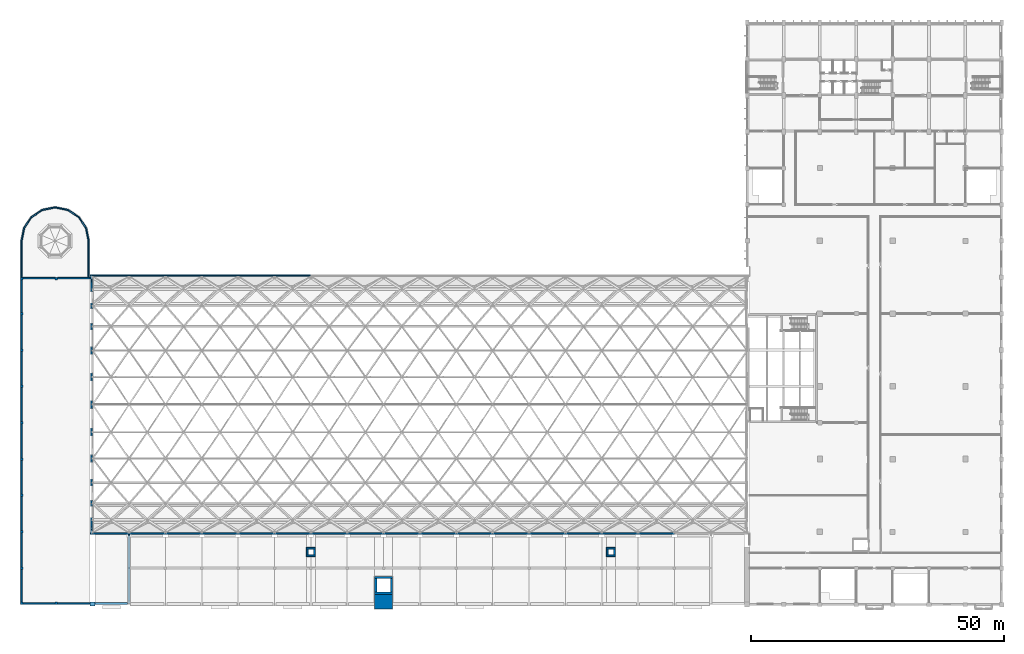
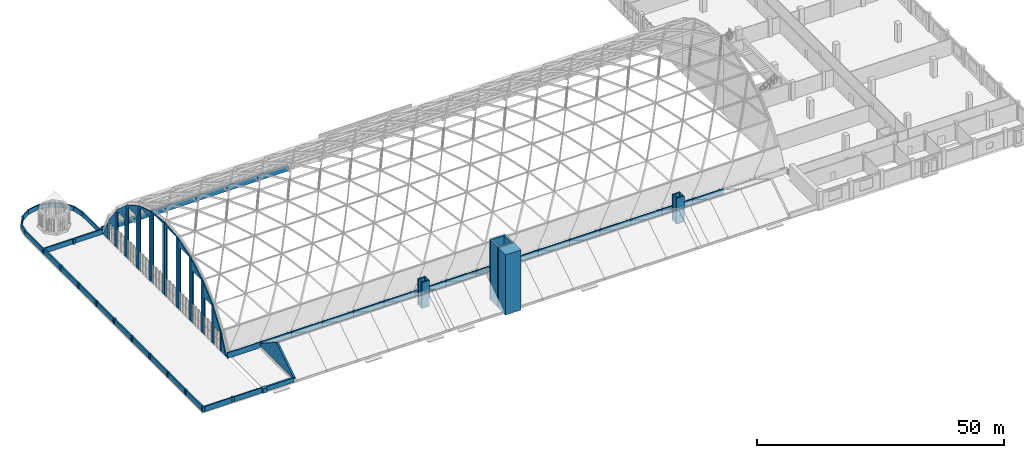
# One storey, part 32 of 52: 85 walls.
"""IFC4 building model written with IfcOpenShell, lengths in metres."""

from ifc_helpers import new_model, si_unit, direction, frame, frame_2d, origin, place, context, subcontext, project, spatial, polyline, rectangle, outline, extrude, material, layer, layer_set, type_object, element, save


model = new_model("IFC4")

# Units and contexts
model_context = context("Model", 3, precision=1e-05, world=origin(), true_north=direction((0.0, 1.0)))
body_context = subcontext(model_context, "Body", "Model", "MODEL_VIEW")
ifc_project = project(units=[si_unit("LENGTHUNIT", "METRE"), si_unit("AREAUNIT", "SQUARE_METRE"), si_unit("VOLUMEUNIT", "CUBIC_METRE"), si_unit("PLANEANGLEUNIT", "RADIAN"), si_unit("MASSUNIT", "GRAM", prefix="KILO")], contexts=[model_context])

# Site, building, storey
site_placement = place(None, origin())
site = spatial("IfcSite", under=ifc_project, at=site_placement, CompositionType="ELEMENT")
building_placement = place(site_placement, origin())
building = spatial("IfcBuilding", under=site, at=building_placement, Name="Vermilion Court Aquatics Centre", CompositionType="ELEMENT")
storey_placement = place(building_placement, frame((0.0, 0.0, 12.0)))
storey = spatial("IfcBuildingStorey", under=building, at=storey_placement, Name="L02", CompositionType="ELEMENT", Elevation=12.0)

# Walls
ifc_material_1 = material(Name="Brick masonry", Category="masonry")
ifc_layer_1 = layer(ifc_material_1, 0.27001953125)
ifc_layer_set_1 = layer_set([ifc_layer_1], Name="Envelope brick gable spandrel 270")
wall_type_1 = type_object("IfcWallType", Name="Envelope brick gable spandrel 270", PredefinedType="SOLIDWALL", material=ifc_layer_set_1)
wall_1_placement = place(storey_placement, frame((14.125, 13.89990234375, 0.0), z_axis=(0.0, 0.0, 1.0), x_axis=(0.0, 1.0, 0.0)))
element("IfcWall", 1, at=wall_1_placement, inside=storey, type_object=wall_type_1, Name="Gable spandrel west 1", PredefinedType="SOLIDWALL", context=body_context, shape_type="SweptSolid", body=[
    extrude(outline(polyline([(0.0, 0.0), (2.81005859375, 0.0), (2.81005859375, 4.16748046875), (0.91748046875, 0.080078125), (0.0, 0.080078125), (0.0, 0.0)])), frame((0.0, 0.135009765625, 0.0), z_axis=(0.0, -1.0, 0.0), x_axis=(1.0, 0.0, 0.0)), (0.0, 0.0, 1.0), 0.27001953125),
])
wall_2_placement = place(storey_placement, frame((14.125, 16.7099609375, 0.0), z_axis=(0.0, 0.0, 1.0), x_axis=(0.0, 1.0, 0.0)))
element("IfcWall", 2, at=wall_2_placement, inside=storey, type_object=wall_type_1, Name="Gable spandrel west 2", PredefinedType="SOLIDWALL", context=body_context, shape_type="SweptSolid", body=[
    extrude(outline(polyline([(0.0, 0.0), (0.510009765625, 0.0), (0.510009765625, 4.43603515625), (2.780029296875, 4.43603515625), (2.780029296875, 0.0), (3.2900390625, 0.0), (3.2900390625, 8.898681640625), (0.0, 4.485595703125), (0.0, 0.0)])), frame((0.0, 0.135009765625, 0.0), z_axis=(0.0, -1.0, 0.0), x_axis=(1.0, 0.0, 0.0)), (0.0, 0.0, 1.0), 0.27001953125),
])
wall_3_placement = place(storey_placement, frame((14.125, 20.0, 0.0), z_axis=(0.0, 0.0, 1.0), x_axis=(0.0, 1.0, 0.0)))
element("IfcWall", 3, at=wall_3_placement, inside=storey, type_object=wall_type_1, Name="Gable spandrel west 3", PredefinedType="SOLIDWALL", context=body_context, shape_type="SweptSolid", body=[
    extrude(outline(polyline([(0.0, 0.0), (0.6201171875, 0.0), (0.6201171875, 9.135009765625), (3.5, 9.135009765625), (3.5, 0.0), (4.1201171875, 0.0), (4.1201171875, 12.823486328125), (0.0, 9.1845703125), (0.0, 0.0)])), frame((0.0, 0.135009765625, 0.0), z_axis=(0.0, -1.0, 0.0), x_axis=(1.0, 0.0, 0.0)), (0.0, 0.0, 1.0), 0.27001953125),
])
wall_4_placement = place(storey_placement, frame((14.125, 24.1201171875, 0.0), z_axis=(0.0, 0.0, 1.0), x_axis=(0.0, 1.0, 0.0)))
element("IfcWall", 4, at=wall_4_placement, inside=storey, type_object=wall_type_1, Name="Gable spandrel west 4", PredefinedType="SOLIDWALL", context=body_context, shape_type="SweptSolid", body=[
    extrude(outline(polyline([(0.0, 0.0), (0.699951171875, 0.0), (0.699951171875, 12.83837890625), (4.080078125, 12.83837890625), (4.080078125, 0.0), (4.780029296875, 0.0), (4.780029296875, 15.60400390625), (0.0, 12.887939453125), (0.0, 0.0)])), frame((0.0, 0.135009765625, 0.0), z_axis=(0.0, -1.0, 0.0), x_axis=(1.0, 0.0, 0.0)), (0.0, 0.0, 1.0), 0.27001953125),
])
wall_5_placement = place(storey_placement, frame((14.125, 28.89990234375, 0.0), z_axis=(0.0, 0.0, 1.0), x_axis=(0.0, 1.0, 0.0)))
element("IfcWall", 5, at=wall_5_placement, inside=storey, type_object=wall_type_1, Name="Gable spandrel west 5", PredefinedType="SOLIDWALL", context=body_context, shape_type="SweptSolid", body=[
    extrude(outline(polyline([(0.0, 0.0), (0.75, 0.0), (0.75, 15.589599609375), (4.47998046875, 15.589599609375), (4.47998046875, 0.0), (5.22998046875, 0.0), (5.22998046875, 17.31396484375), (0.0, 15.638916015625), (0.0, 0.0)])), frame((0.0, 0.135009765625, 0.0), z_axis=(0.0, -1.0, 0.0), x_axis=(1.0, 0.0, 0.0)), (0.0, 0.0, 1.0), 0.27001953125),
])
wall_6_placement = place(storey_placement, frame((14.125, 34.1298828125, 0.0), z_axis=(0.0, 0.0, 1.0), x_axis=(0.0, 1.0, 0.0)))
element("IfcWall", 6, at=wall_6_placement, inside=storey, type_object=wall_type_1, Name="Gable spandrel west 6", PredefinedType="SOLIDWALL", context=body_context, shape_type="SweptSolid", body=[
    extrude(outline(polyline([(0.0, 0.0), (0.780029296875, 0.0), (0.780029296875, 17.280029296875), (4.68994140625, 17.280029296875), (4.68994140625, 0.0), (5.469970703125, 0.0), (5.469970703125, 17.897705078125), (0.0, 17.32958984375), (0.0, 0.0)])), frame((0.0, 0.135009765625, 0.0), z_axis=(0.0, -1.0, 0.0), x_axis=(1.0, 0.0, 0.0)), (0.0, 0.0, 1.0), 0.27001953125),
])
wall_7_placement = place(storey_placement, frame((14.125, 39.60009765625, 0.0), z_axis=(0.0, 0.0, 1.0), x_axis=(0.0, 1.0, 0.0)))
element("IfcWall", 7, at=wall_7_placement, inside=storey, type_object=wall_type_1, Name="Gable spandrel west 7", PredefinedType="SOLIDWALL", context=body_context, shape_type="SweptSolid", body=[
    extrude(outline(polyline([(0.0, 0.0), (0.780029296875, 0.0), (0.780029296875, 17.280029296875), (4.68994140625, 17.280029296875), (4.68994140625, 0.0), (5.469970703125, 0.0), (5.469970703125, 17.32958984375), (0.0, 17.897705078125), (0.0, 0.0)])), frame((0.0, 0.135009765625, 0.0), z_axis=(0.0, -1.0, 0.0), x_axis=(1.0, 0.0, 0.0)), (0.0, 0.0, 1.0), 0.27001953125),
])
wall_8_placement = place(storey_placement, frame((14.125, 45.070068359375, 0.0), z_axis=(0.0, 0.0, 1.0), x_axis=(0.0, 1.0, 0.0)))
element("IfcWall", 8, at=wall_8_placement, inside=storey, type_object=wall_type_1, Name="Gable spandrel west 8", PredefinedType="SOLIDWALL", context=body_context, shape_type="SweptSolid", body=[
    extrude(outline(polyline([(0.0, 0.0), (0.75, 0.0), (0.75, 15.589599609375), (4.47998046875, 15.589599609375), (4.47998046875, 0.0), (5.22998046875, 0.0), (5.22998046875, 15.638916015625), (0.0, 17.31396484375), (0.0, 0.0)])), frame((0.0, 0.135009765625, 0.0), z_axis=(0.0, -1.0, 0.0), x_axis=(1.0, 0.0, 0.0)), (0.0, 0.0, 1.0), 0.27001953125),
])
wall_9_placement = place(storey_placement, frame((14.125, 50.300048828125, 0.0), z_axis=(0.0, 0.0, 1.0), x_axis=(0.0, 1.0, 0.0)))
element("IfcWall", 9, at=wall_9_placement, inside=storey, type_object=wall_type_1, Name="Gable spandrel west 9", PredefinedType="SOLIDWALL", context=body_context, shape_type="SweptSolid", body=[
    extrude(outline(polyline([(0.0, 0.0), (0.699951171875, 0.0), (0.699951171875, 12.83837890625), (4.080078125, 12.83837890625), (4.080078125, 0.0), (4.780029296875, 0.0), (4.780029296875, 12.887939453125), (0.0, 15.60400390625), (0.0, 0.0)])), frame((0.0, 0.135009765625, 0.0), z_axis=(0.0, -1.0, 0.0), x_axis=(1.0, 0.0, 0.0)), (0.0, 0.0, 1.0), 0.27001953125),
])
wall_10_placement = place(storey_placement, frame((14.125, 55.080078125, 0.0), z_axis=(0.0, 0.0, 1.0), x_axis=(0.0, 1.0, 0.0)))
element("IfcWall", 10, at=wall_10_placement, inside=storey, type_object=wall_type_1, Name="Gable spandrel west 10", PredefinedType="SOLIDWALL", context=body_context, shape_type="SweptSolid", body=[
    extrude(outline(polyline([(0.0, 0.0), (0.6201171875, 0.0), (0.6201171875, 9.135009765625), (3.5, 9.135009765625), (3.5, 0.0), (4.1201171875, 0.0), (4.1201171875, 9.1845703125), (0.0, 12.823486328125), (0.0, 0.0)])), frame((0.0, 0.135009765625, 0.0), z_axis=(0.0, -1.0, 0.0), x_axis=(1.0, 0.0, 0.0)), (0.0, 0.0, 1.0), 0.27001953125),
])
wall_11_placement = place(storey_placement, frame((14.125, 59.199951171875, 0.0), z_axis=(0.0, 0.0, 1.0), x_axis=(0.0, 1.0, 0.0)))
element("IfcWall", 11, at=wall_11_placement, inside=storey, type_object=wall_type_1, Name="Gable spandrel west 11", PredefinedType="SOLIDWALL", context=body_context, shape_type="SweptSolid", body=[
    extrude(outline(polyline([(0.0, 0.0), (0.510009765625, 0.0), (0.510009765625, 4.43603515625), (2.780029296875, 4.43603515625), (2.780029296875, 0.0), (3.2900390625, 0.0), (3.2900390625, 4.485595703125), (0.0, 8.898681640625), (0.0, 0.0)])), frame((0.0, 0.135009765625, 0.0), z_axis=(0.0, -1.0, 0.0), x_axis=(1.0, 0.0, 0.0)), (0.0, 0.0, 1.0), 0.27001953125),
])
wall_12_placement = place(storey_placement, frame((14.125, 62.489990234375, 0.0), z_axis=(0.0, 0.0, 1.0), x_axis=(0.0, 1.0, 0.0)))
element("IfcWall", 12, at=wall_12_placement, inside=storey, type_object=wall_type_1, Name="Gable spandrel west 12", PredefinedType="SOLIDWALL", context=body_context, shape_type="SweptSolid", body=[
    extrude(outline(polyline([(0.0, 0.0), (2.81005859375, 0.0), (2.81005859375, 0.080078125), (1.892578125, 0.080078125), (0.0, 4.16748046875), (0.0, 0.0)])), frame((0.0, 0.135009765625, 0.0), z_axis=(0.0, -1.0, 0.0), x_axis=(1.0, 0.0, 0.0)), (0.0, 0.0, 1.0), 0.27001953125),
])
ifc_material_2 = material(Name="Brick masonry", Category="masonry")
ifc_layer_2 = layer(ifc_material_2, 0.280029296875)
ifc_layer_set_2 = layer_set([ifc_layer_2], Name="Envelope brick parapet 280")
wall_type_2 = type_object("IfcWallType", Name="Envelope brick parapet 280", PredefinedType="PARAPET", material=ifc_layer_set_2)
wall_13_placement = place(storey_placement, frame((13.89990234375, 14.0400390625, 0.0), z_axis=(0.0, 0.0, 1.0), x_axis=(1.0, 0.0, 0.0)))
element("IfcWall", 13, at=wall_13_placement, inside=storey, type_object=wall_type_2, Name="Roof parapet S01", PredefinedType="PARAPET", context=body_context, shape_type="SweptSolid", body=[
    extrude(rectangle(XDim=7.7001953125, YDim=0.280029296875, at=frame_2d((3.85009765625, 0.0))), origin(), (0.0, 0.0, 1.0), 1.39990234375),
])
for number, where, z_axis, x_axis, name in (
    (14, (21.60009765625, 14.0400390625, 0.0), (0.0, 0.0, 1.0), (1.0, 0.0, 0.0), "Roof parapet S02"),
    (15, (28.800048828125, 14.0400390625, 0.0), (0.0, 0.0, 1.0), (1.0, 0.0, 0.0), "Roof parapet S03"),
    (16, (36.0, 14.0400390625, 0.0), (0.0, 0.0, 1.0), (1.0, 0.0, 0.0), "Roof parapet S04"),
    (17, (43.199951171875, 14.0400390625, 0.0), (0.0, 0.0, 1.0), (1.0, 0.0, 0.0), "Roof parapet S05"),
):
    element("IfcWall", number, at=place(storey_placement, frame(where, z_axis=z_axis, x_axis=x_axis)), inside=storey, type_object=wall_type_2, Name=name, PredefinedType="PARAPET", context=body_context, shape_type="SweptSolid", body=[
        extrude(rectangle(XDim=7.199951171875, YDim=0.280029296875, at=frame_2d((3.60009765625, 0.0))), origin(), (0.0, 0.0, 1.0), 1.39990234375),
    ])
wall_14_placement = place(storey_placement, frame((50.39990234375, 14.0400390625, 0.0), z_axis=(0.0, 0.0, 1.0), x_axis=(1.0, 0.0, 0.0)))
element("IfcWall", 18, at=wall_14_placement, inside=storey, type_object=wall_type_2, Name="Roof parapet S06", PredefinedType="PARAPET", context=body_context, shape_type="SweptSolid", body=[
    extrude(rectangle(XDim=7.2001953125, YDim=0.280029296875, at=frame_2d((3.60009765625, 0.0))), origin(), (0.0, 0.0, 1.0), 1.39990234375),
])
for number, where, z_axis, x_axis, name in (
    (19, (57.60009765625, 14.0400390625, 0.0), (0.0, 0.0, 1.0), (1.0, 0.0, 0.0), "Roof parapet S07"),
    (20, (64.800048828125, 14.0400390625, 0.0), (0.0, 0.0, 1.0), (1.0, 0.0, 0.0), "Roof parapet S08"),
    (21, (72.0, 14.0400390625, 0.0), (0.0, 0.0, 1.0), (1.0, 0.0, 0.0), "Roof parapet S09"),
    (22, (79.199951171875, 14.0400390625, 0.0), (0.0, 0.0, 1.0), (1.0, 0.0, 0.0), "Roof parapet S10"),
):
    element("IfcWall", number, at=place(storey_placement, frame(where, z_axis=z_axis, x_axis=x_axis)), inside=storey, type_object=wall_type_2, Name=name, PredefinedType="PARAPET", context=body_context, shape_type="SweptSolid", body=[
        extrude(rectangle(XDim=7.199951171875, YDim=0.280029296875, at=frame_2d((3.60009765625, 0.0))), origin(), (0.0, 0.0, 1.0), 1.39990234375),
    ])
wall_15_placement = place(storey_placement, frame((86.39990234375, 14.0400390625, 0.0), z_axis=(0.0, 0.0, 1.0), x_axis=(1.0, 0.0, 0.0)))
element("IfcWall", 23, at=wall_15_placement, inside=storey, type_object=wall_type_2, Name="Roof parapet S11", PredefinedType="PARAPET", context=body_context, shape_type="SweptSolid", body=[
    extrude(rectangle(XDim=7.2001953125, YDim=0.280029296875, at=frame_2d((3.60009765625, 0.0))), origin(), (0.0, 0.0, 1.0), 1.39990234375),
])
for number, where, z_axis, x_axis, name in (
    (24, (93.60009765625, 14.0400390625, 0.0), (0.0, 0.0, 1.0), (1.0, 0.0, 0.0), "Roof parapet S12"),
    (25, (100.800048828125, 14.0400390625, 0.0), (0.0, 0.0, 1.0), (1.0, 0.0, 0.0), "Roof parapet S13"),
    (26, (108.0, 14.0400390625, 0.0), (0.0, 0.0, 1.0), (1.0, 0.0, 0.0), "Roof parapet S14"),
    (27, (115.199951171875, 14.0400390625, 0.0), (0.0, 0.0, 1.0), (1.0, 0.0, 0.0), "Roof parapet S15"),
):
    element("IfcWall", number, at=place(storey_placement, frame(where, z_axis=z_axis, x_axis=x_axis)), inside=storey, type_object=wall_type_2, Name=name, PredefinedType="PARAPET", context=body_context, shape_type="SweptSolid", body=[
        extrude(rectangle(XDim=7.199951171875, YDim=0.280029296875, at=frame_2d((3.60009765625, 0.0))), origin(), (0.0, 0.0, 1.0), 1.39990234375),
    ])
wall_16_placement = place(storey_placement, frame((122.39990234375, 14.0400390625, 0.0), z_axis=(0.0, 0.0, 1.0), x_axis=(1.0, 0.0, 0.0)))
element("IfcWall", 28, at=wall_16_placement, inside=storey, type_object=wall_type_2, Name="Roof parapet S16", PredefinedType="PARAPET", context=body_context, shape_type="SweptSolid", body=[
    extrude(rectangle(XDim=7.2001953125, YDim=0.280029296875, at=frame_2d((3.60009765625, 0.0))), origin(), (0.0, 0.0, 1.0), 1.39990234375),
])
wall_17_placement = place(storey_placement, frame((13.89990234375, 65.159912109375, 0.0), z_axis=(0.0, 0.0, 1.0), x_axis=(1.0, 0.0, 0.0)))
element("IfcWall", 29, at=wall_17_placement, inside=storey, type_object=wall_type_2, Name="Roof parapet N01", PredefinedType="PARAPET", context=body_context, shape_type="SweptSolid", body=[
    extrude(rectangle(XDim=7.7001953125, YDim=0.280029296875, at=frame_2d((3.85009765625, 0.0))), origin(), (0.0, 0.0, 1.0), 1.39990234375),
])
for number, where, z_axis, x_axis, name in (
    (30, (21.60009765625, 65.159912109375, 0.0), (0.0, 0.0, 1.0), (1.0, 0.0, 0.0), "Roof parapet N02"),
    (31, (28.800048828125, 65.159912109375, 0.0), (0.0, 0.0, 1.0), (1.0, 0.0, 0.0), "Roof parapet N03"),
    (32, (36.0, 65.159912109375, 0.0), (0.0, 0.0, 1.0), (1.0, 0.0, 0.0), "Roof parapet N04"),
    (33, (43.199951171875, 65.159912109375, 0.0), (0.0, 0.0, 1.0), (1.0, 0.0, 0.0), "Roof parapet N05"),
):
    element("IfcWall", number, at=place(storey_placement, frame(where, z_axis=z_axis, x_axis=x_axis)), inside=storey, type_object=wall_type_2, Name=name, PredefinedType="PARAPET", context=body_context, shape_type="SweptSolid", body=[
        extrude(rectangle(XDim=7.199951171875, YDim=0.280029296875, at=frame_2d((3.60009765625, 0.0))), origin(), (0.0, 0.0, 1.0), 1.39990234375),
    ])
wall_18_placement = place(storey_placement, frame((50.39990234375, 65.159912109375, 0.0), z_axis=(0.0, 0.0, 1.0), x_axis=(1.0, 0.0, 0.0)))
element("IfcWall", 34, at=wall_18_placement, inside=storey, type_object=wall_type_2, Name="Roof parapet N06", PredefinedType="PARAPET", context=body_context, shape_type="SweptSolid", body=[
    extrude(rectangle(XDim=7.2001953125, YDim=0.280029296875, at=frame_2d((3.60009765625, 0.0))), origin(), (0.0, 0.0, 1.0), 1.39990234375),
])
ifc_material_3 = material(Name="Brick masonry", Category="masonry")
ifc_layer_3 = layer(ifc_material_3, 0.5)
ifc_layer_set_3 = layer_set([ifc_layer_3], Name="Foyer parapet pier 500")
wall_type_3 = type_object("IfcWallType", Name="Foyer parapet pier 500", PredefinedType="PARAPET", material=ifc_layer_set_3)
for number, where, z_axis, x_axis, name in (
    (35, (0.050048828125, 0.300048828125, 0.0), (0.0, 0.0, 1.0), (1.0, 0.0, 0.0), "Roof parapet pier"),
    (36, (0.050048828125, 7.199951171875, 0.0), (0.0, 0.0, 1.0), (1.0, 0.0, 0.0), "Roof parapet pier"),
    (37, (0.050048828125, 14.39990234375, 0.0), (0.0, 0.0, 1.0), (1.0, 0.0, 0.0), "Roof parapet pier"),
    (38, (0.050048828125, 21.60009765625, 0.0), (0.0, 0.0, 1.0), (1.0, 0.0, 0.0), "Roof parapet pier"),
    (39, (0.050048828125, 28.800048828125, 0.0), (0.0, 0.0, 1.0), (1.0, 0.0, 0.0), "Roof parapet pier"),
    (40, (0.050048828125, 36.0, 0.0), (0.0, 0.0, 1.0), (1.0, 0.0, 0.0), "Roof parapet pier"),
    (41, (0.050048828125, 43.199951171875, 0.0), (0.0, 0.0, 1.0), (1.0, 0.0, 0.0), "Roof parapet pier"),
    (42, (0.050048828125, 50.39990234375, 0.0), (0.0, 0.0, 1.0), (1.0, 0.0, 0.0), "Roof parapet pier"),
    (43, (0.050048828125, 57.60009765625, 0.0), (0.0, 0.0, 1.0), (1.0, 0.0, 0.0), "Roof parapet pier"),
    (44, (0.050048828125, 64.5, 0.0), (0.0, 0.0, 1.0), (1.0, 0.0, 0.0), "Roof parapet pier"),
    (45, (6.949951171875, 0.300048828125, 0.0), (0.0, 0.0, 1.0), (1.0, 0.0, 0.0), "Roof parapet pier"),
    (46, (6.949951171875, 64.5, 0.0), (0.0, 0.0, 1.0), (1.0, 0.0, 0.0), "Roof parapet pier"),
):
    element("IfcWall", number, at=place(storey_placement, frame(where, z_axis=z_axis, x_axis=x_axis)), inside=storey, type_object=wall_type_3, Name=name, PredefinedType="PARAPET", context=body_context, shape_type="SweptSolid", body=[
        extrude(rectangle(XDim=0.5, YDim=0.5, at=frame_2d((0.25, 0.0))), origin(), (0.0, 0.0, 1.0), 1.25),
    ])
ifc_material_4 = material(Name="Brick masonry", Category="masonry")
ifc_layer_4 = layer(ifc_material_4, 0.300048828125)
ifc_layer_set_4 = layer_set([ifc_layer_4], Name="Foyer parapet wall 300")
wall_type_4 = type_object("IfcWallType", Name="Foyer parapet wall 300", PredefinedType="PARAPET", material=ifc_layer_set_4)
wall_19_placement = place(storey_placement, frame((0.300048828125, 71.970703125, 0.0), z_axis=(0.0, 0.0, 1.0), x_axis=(0.195053904956, 0.980792523504, 0.0)))
element("IfcWall", 47, at=wall_19_placement, inside=storey, type_object=wall_type_4, Name="Rotunda parapet", PredefinedType="PARAPET", context=body_context, shape_type="SweptSolid", body=[
    extrude(rectangle(XDim=2.65234375, YDim=0.300048828125, at=frame_2d((1.326171875, 0.0))), origin(), (0.0, 0.0, 1.0), 1.10009765625),
])
for number, where, z_axis, x_axis, name in (
    (48, (0.794921875, 74.517822265625, 0.0), (0.0, 0.0, 1.0), (0.555634542655, 0.83142663838, 0.0), "Rotunda parapet"),
    (49, (2.22705078125, 76.681396484375, 0.0), (0.0, 0.0, 1.0), (0.83142663838, 0.555634542655, 0.0), "Rotunda parapet"),
    (50, (4.378173828125, 78.132568359375, 0.0), (0.0, 0.0, 1.0), (0.980789020894, 0.195071516358, 0.0), "Rotunda parapet"),
):
    element("IfcWall", number, at=place(storey_placement, frame(where, z_axis=z_axis, x_axis=x_axis)), inside=storey, type_object=wall_type_4, Name=name, PredefinedType="PARAPET", context=body_context, shape_type="SweptSolid", body=[
        extrude(rectangle(XDim=2.652099609375, YDim=0.300048828125, at=frame_2d((1.326171875, 0.0))), origin(), (0.0, 0.0, 1.0), 1.10009765625),
    ])
wall_20_placement = place(storey_placement, frame((6.920654296875, 78.64990234375, 0.0), z_axis=(0.0, 0.0, 1.0), x_axis=(0.980792523504, -0.195053904956, 0.0)))
element("IfcWall", 51, at=wall_20_placement, inside=storey, type_object=wall_type_4, Name="Rotunda parapet", PredefinedType="PARAPET", context=body_context, shape_type="SweptSolid", body=[
    extrude(rectangle(XDim=2.65234375, YDim=0.300048828125, at=frame_2d((1.326171875, 0.0))), origin(), (0.0, 0.0, 1.0), 1.10009765625),
])
for number, where, z_axis, x_axis, name in (
    (52, (9.4677734375, 78.155029296875, 0.0), (0.0, 0.0, 1.0), (0.83142663838, -0.555634542655, 0.0), "Rotunda parapet"),
    (53, (11.631591796875, 76.722900390625, 0.0), (0.0, 0.0, 1.0), (0.555570903971, -0.831469163987, 0.0), "Rotunda parapet"),
):
    element("IfcWall", number, at=place(storey_placement, frame(where, z_axis=z_axis, x_axis=x_axis)), inside=storey, type_object=wall_type_4, Name=name, PredefinedType="PARAPET", context=body_context, shape_type="SweptSolid", body=[
        extrude(rectangle(XDim=2.652099609375, YDim=0.300048828125, at=frame_2d((1.326171875, 0.0))), origin(), (0.0, 0.0, 1.0), 1.10009765625),
    ])
wall_21_placement = place(storey_placement, frame((13.08251953125, 74.572021484375, 0.0), z_axis=(0.0, 0.0, 1.0), x_axis=(0.195053904956, -0.980792523504, 0.0)))
element("IfcWall", 54, at=wall_21_placement, inside=storey, type_object=wall_type_4, Name="Rotunda parapet", PredefinedType="PARAPET", context=body_context, shape_type="SweptSolid", body=[
    extrude(rectangle(XDim=2.65234375, YDim=0.300048828125, at=frame_2d((1.326171875, 0.0))), origin(), (0.0, 0.0, 1.0), 1.10009765625),
])
for number, where, z_axis, x_axis, name in (
    (55, (0.300048828125, 64.800048828125, 0.0), (0.0, 0.0, 1.0), (0.0, 1.0, 0.0), "Rotunda parapet"),
    (56, (13.60009765625, 64.800048828125, 0.0), (0.0, 0.0, 1.0), (0.0, 1.0, 0.0), "Rotunda parapet"),
):
    element("IfcWall", number, at=place(storey_placement, frame(where, z_axis=z_axis, x_axis=x_axis)), inside=storey, type_object=wall_type_4, Name=name, PredefinedType="PARAPET", context=body_context, shape_type="SweptSolid", body=[
        extrude(rectangle(XDim=7.199951171875, YDim=0.300048828125, at=frame_2d((3.60009765625, 0.0))), origin(), (0.0, 0.0, 1.0), 1.10009765625),
    ])
wall_22_placement = place(storey_placement, frame((0.550048828125, 0.175048828125, 0.0), z_axis=(0.0, 0.0, 1.0), x_axis=(1.0, 0.0, 0.0)))
element("IfcWall", 57, at=wall_22_placement, inside=storey, type_object=wall_type_4, Name="Foyer parapet", PredefinedType="PARAPET", context=body_context, shape_type="SweptSolid", body=[
    extrude(rectangle(XDim=6.39990234375, YDim=0.300048828125, at=frame_2d((3.199951171875, 0.0))), origin(), (0.0, 0.0, 1.0), 1.25),
])
wall_23_placement = place(storey_placement, frame((7.449951171875, 0.175048828125, 0.0), z_axis=(0.0, 0.0, 1.0), x_axis=(1.0, 0.0, 0.0)))
element("IfcWall", 58, at=wall_23_placement, inside=storey, type_object=wall_type_4, Name="Foyer parapet", PredefinedType="PARAPET", context=body_context, shape_type="SweptSolid", body=[
    extrude(rectangle(XDim=6.449951171875, YDim=0.300048828125, at=frame_2d((3.22509765625, 0.0))), origin(), (0.0, 0.0, 1.0), 1.25),
])
wall_24_placement = place(storey_placement, frame((0.550048828125, 64.625, 0.0), z_axis=(0.0, 0.0, 1.0), x_axis=(1.0, 0.0, 0.0)))
element("IfcWall", 59, at=wall_24_placement, inside=storey, type_object=wall_type_4, Name="Foyer parapet", PredefinedType="PARAPET", context=body_context, shape_type="SweptSolid", body=[
    extrude(rectangle(XDim=6.39990234375, YDim=0.300048828125, at=frame_2d((3.199951171875, 0.0))), origin(), (0.0, 0.0, 1.0), 1.25),
])
wall_25_placement = place(storey_placement, frame((7.449951171875, 64.625, 0.0), z_axis=(0.0, 0.0, 1.0), x_axis=(1.0, 0.0, 0.0)))
element("IfcWall", 60, at=wall_25_placement, inside=storey, type_object=wall_type_4, Name="Foyer parapet", PredefinedType="PARAPET", context=body_context, shape_type="SweptSolid", body=[
    extrude(rectangle(XDim=6.449951171875, YDim=0.300048828125, at=frame_2d((3.22509765625, 0.0))), origin(), (0.0, 0.0, 1.0), 1.25),
])
wall_26_placement = place(storey_placement, frame((0.300048828125, 0.550048828125, 0.0), z_axis=(0.0, 0.0, 1.0), x_axis=(0.0, 1.0, 0.0)))
element("IfcWall", 61, at=wall_26_placement, inside=storey, type_object=wall_type_4, Name="Foyer parapet", PredefinedType="PARAPET", context=body_context, shape_type="SweptSolid", body=[
    extrude(rectangle(XDim=6.39990234375, YDim=0.300048828125, at=frame_2d((3.199951171875, 0.0))), origin(), (0.0, 0.0, 1.0), 1.25),
])
wall_27_placement = place(storey_placement, frame((0.300048828125, 7.449951171875, 0.0), z_axis=(0.0, 0.0, 1.0), x_axis=(0.0, 1.0, 0.0)))
element("IfcWall", 62, at=wall_27_placement, inside=storey, type_object=wall_type_4, Name="Foyer parapet", PredefinedType="PARAPET", context=body_context, shape_type="SweptSolid", body=[
    extrude(rectangle(XDim=6.699951171875, YDim=0.300048828125, at=frame_2d((3.35009765625, 0.0))), origin(), (0.0, 0.0, 1.0), 1.25),
])
wall_28_placement = place(storey_placement, frame((0.300048828125, 14.64990234375, 0.0), z_axis=(0.0, 0.0, 1.0), x_axis=(0.0, 1.0, 0.0)))
element("IfcWall", 63, at=wall_28_placement, inside=storey, type_object=wall_type_4, Name="Foyer parapet", PredefinedType="PARAPET", context=body_context, shape_type="SweptSolid", body=[
    extrude(rectangle(XDim=6.7001953125, YDim=0.300048828125, at=frame_2d((3.35009765625, 0.0))), origin(), (0.0, 0.0, 1.0), 1.25),
])
for number, where, z_axis, x_axis, name in (
    (64, (0.300048828125, 21.85009765625, 0.0), (0.0, 0.0, 1.0), (0.0, 1.0, 0.0), "Foyer parapet"),
    (65, (0.300048828125, 29.050048828125, 0.0), (0.0, 0.0, 1.0), (0.0, 1.0, 0.0), "Foyer parapet"),
    (66, (0.300048828125, 36.25, 0.0), (0.0, 0.0, 1.0), (0.0, 1.0, 0.0), "Foyer parapet"),
    (67, (0.300048828125, 43.449951171875, 0.0), (0.0, 0.0, 1.0), (0.0, 1.0, 0.0), "Foyer parapet"),
):
    element("IfcWall", number, at=place(storey_placement, frame(where, z_axis=z_axis, x_axis=x_axis)), inside=storey, type_object=wall_type_4, Name=name, PredefinedType="PARAPET", context=body_context, shape_type="SweptSolid", body=[
        extrude(rectangle(XDim=6.699951171875, YDim=0.300048828125, at=frame_2d((3.35009765625, 0.0))), origin(), (0.0, 0.0, 1.0), 1.25),
    ])
wall_29_placement = place(storey_placement, frame((0.300048828125, 50.64990234375, 0.0), z_axis=(0.0, 0.0, 1.0), x_axis=(0.0, 1.0, 0.0)))
element("IfcWall", 68, at=wall_29_placement, inside=storey, type_object=wall_type_4, Name="Foyer parapet", PredefinedType="PARAPET", context=body_context, shape_type="SweptSolid", body=[
    extrude(rectangle(XDim=6.7001953125, YDim=0.300048828125, at=frame_2d((3.35009765625, 0.0))), origin(), (0.0, 0.0, 1.0), 1.25),
])
wall_30_placement = place(storey_placement, frame((0.300048828125, 57.85009765625, 0.0), z_axis=(0.0, 0.0, 1.0), x_axis=(0.0, 1.0, 0.0)))
element("IfcWall", 69, at=wall_30_placement, inside=storey, type_object=wall_type_4, Name="Foyer parapet", PredefinedType="PARAPET", context=body_context, shape_type="SweptSolid", body=[
    extrude(rectangle(XDim=6.39990234375, YDim=0.300048828125, at=frame_2d((3.199951171875, 0.0))), origin(), (0.0, 0.0, 1.0), 1.25),
])
ifc_material_5 = material(Name="Brick masonry", Category="masonry")
ifc_layer_5 = layer(ifc_material_5, 2.89990234375)
ifc_layer_set_5 = layer_set([ifc_layer_5], Name="South chimney breast wall 2900")
wall_type_5 = type_object("IfcWallType", Name="South chimney breast wall 2900", PredefinedType="SOLIDWALL", material=ifc_layer_set_5)
wall_31_placement = place(storey_placement, frame((70.199951171875, 0.550048828125, 0.0), z_axis=(0.0, 0.0, 1.0), x_axis=(1.0, 0.0, 0.0)))
element("IfcWall", 70, at=wall_31_placement, inside=storey, type_object=wall_type_5, Name="Chimney breast", PredefinedType="SOLIDWALL", context=body_context, shape_type="SweptSolid", body=[
    extrude(rectangle(XDim=3.60009765625, YDim=2.89990234375, at=frame_2d((1.800048828125, 0.0))), origin(), (0.0, 0.0, 1.0), 14.85009765625),
])
ifc_material_6 = material(Name="Brick masonry", Category="masonry")
ifc_layer_6 = layer(ifc_material_6, 0.85009765625)
ifc_layer_set_6 = layer_set([ifc_layer_6], Name="South parapet pier 850")
wall_type_6 = type_object("IfcWallType", Name="South parapet pier 850", PredefinedType="PARAPET", material=ifc_layer_set_6)
wall_32_placement = place(storey_placement, frame((13.89990234375, 0.125, 0.0), z_axis=(0.0, 0.0, 1.0), x_axis=(1.0, 0.0, 0.0)))
element("IfcWall", 71, at=wall_32_placement, inside=storey, type_object=wall_type_6, Name="Roof parapet pier", PredefinedType="PARAPET", context=body_context, shape_type="SweptSolid", body=[
    extrude(rectangle(XDim=1.0, YDim=0.85009765625, at=frame_2d((0.5, 0.0))), origin(), (0.0, 0.0, 1.0), 1.10009765625),
])
ifc_material_7 = material(Name="Brick masonry", Category="masonry")
ifc_layer_7 = layer(ifc_material_7, 0.39990234375)
ifc_layer_set_7 = layer_set([ifc_layer_7], Name="South parapet wall 400")
wall_type_7 = type_object("IfcWallType", Name="South parapet wall 400", PredefinedType="PARAPET", material=ifc_layer_set_7)
wall_33_placement = place(storey_placement, frame((14.89990234375, 0.199951171875, 0.0), z_axis=(0.0, 0.0, 1.0), x_axis=(1.0, 0.0, 0.0)))
element("IfcWall", 72, at=wall_33_placement, inside=storey, type_object=wall_type_7, Name="Roof parapet", PredefinedType="PARAPET", context=body_context, shape_type="SweptSolid", body=[
    extrude(rectangle(XDim=6.425048828125, YDim=0.39990234375, at=frame_2d((3.21240234375, 0.0))), origin(), (0.0, 0.0, 1.0), 1.10009765625),
])
ifc_material_8 = material(Name="Brick masonry", Category="masonry")
ifc_layer_8 = layer(ifc_material_8, 0.449951171875)
ifc_layer_set_8 = layer_set([ifc_layer_8], Name="South plant stack wall above roof 450")
wall_type_8 = type_object("IfcWallType", Name="South plant stack wall above roof 450", PredefinedType="SOLIDWALL", material=ifc_layer_set_8)
for number, where, z_axis, x_axis, name in (
    (73, (70.199951171875, 5.375, 0.0), (0.0, 0.0, 1.0), (1.0, 0.0, 0.0), "Plant stack shaft wall"),
    (74, (70.199951171875, 2.22509765625, 0.0), (0.0, 0.0, 1.0), (1.0, 0.0, 0.0), "Plant stack shaft wall"),
):
    element("IfcWall", number, at=place(storey_placement, frame(where, z_axis=z_axis, x_axis=x_axis)), inside=storey, type_object=wall_type_8, Name=name, PredefinedType="SOLIDWALL", context=body_context, shape_type="SweptSolid", body=[
        extrude(rectangle(XDim=3.60009765625, YDim=0.449951171875, at=frame_2d((1.800048828125, 0.0))), origin(), (0.0, 0.0, 1.0), 14.85009765625),
    ])
for number, where, z_axis, x_axis, name in (
    (75, (73.574951171875, 2.449951171875, 0.0), (0.0, 0.0, 1.0), (0.0, 1.0, 0.0), "Plant stack shaft wall"),
    (76, (70.425048828125, 2.449951171875, 0.0), (0.0, 0.0, 1.0), (0.0, 1.0, 0.0), "Plant stack shaft wall"),
):
    element("IfcWall", number, at=place(storey_placement, frame(where, z_axis=z_axis, x_axis=x_axis)), inside=storey, type_object=wall_type_8, Name=name, PredefinedType="SOLIDWALL", context=body_context, shape_type="SweptSolid", body=[
        extrude(rectangle(XDim=2.699951171875, YDim=0.449951171875, at=frame_2d((1.35009765625, 0.0))), origin(), (0.0, 0.0, 1.0), 14.85009765625),
    ])
ifc_material_9 = material(Name="Brick masonry", Category="masonry")
ifc_layer_9 = layer(ifc_material_9, 0.39990234375)
ifc_layer_set_9 = layer_set([ifc_layer_9], Name="South roof gable wall brick 400")
wall_type_9 = type_object("IfcWallType", Name="South roof gable wall brick 400", PredefinedType="SOLIDWALL", material=ifc_layer_set_9)
wall_34_placement = place(storey_placement, frame((21.60009765625, 0.25, 0.60009765625), z_axis=(0.0, 0.0, 1.0), x_axis=(0.0, 1.0, 0.0)))
element("IfcWall", 77, at=wall_34_placement, inside=storey, type_object=wall_type_9, Name="South roof gable wall", PredefinedType="SOLIDWALL", context=body_context, shape_type="SweptSolid", body=[
    extrude(outline(polyline([(0.0, 0.0), (13.14990234375, 0.0), (13.14990234375, 0.332275390625), (13.64990234375, 0.332275390625), (13.64990234375, 0.4990234375), (6.949951171875, 4.849853515625), (0.0, 0.33642578125), (0.0, 0.0)])), frame((0.0, 0.199951171875, 0.0), z_axis=(0.0, -1.0, 0.0), x_axis=(1.0, 0.0, 0.0)), (0.0, 0.0, 1.0), 0.39990234375),
])
ifc_material_10 = material(Name="Brick masonry", Category="masonry")
ifc_layer_10 = layer(ifc_material_10, 0.35009765625)
ifc_layer_set_10 = layer_set([ifc_layer_10], Name="South vent stack wall above roof 350")
wall_type_10 = type_object("IfcWallType", Name="South vent stack wall above roof 350", PredefinedType="SOLIDWALL", material=ifc_layer_set_10)
for number, where, z_axis, x_axis, name in (
    (78, (56.699951171875, 11.125, 0.0), (0.0, 0.0, 1.0), (1.0, 0.0, 0.0), "Vent stack wall"),
    (79, (56.699951171875, 9.675048828125, 0.0), (0.0, 0.0, 1.0), (1.0, 0.0, 0.0), "Vent stack wall"),
):
    element("IfcWall", number, at=place(storey_placement, frame(where, z_axis=z_axis, x_axis=x_axis)), inside=storey, type_object=wall_type_10, Name=name, PredefinedType="SOLIDWALL", context=body_context, shape_type="SweptSolid", body=[
        extrude(rectangle(XDim=1.800048828125, YDim=0.35009765625, at=frame_2d((0.89990234375, 0.0))), origin(), (0.0, 0.0, 1.0), 6.39990234375),
    ])
for number, where, z_axis, x_axis, name in (
    (80, (58.324951171875, 9.85009765625, 0.0), (0.0, 0.0, 1.0), (0.0, 1.0, 0.0), "Vent stack wall"),
    (81, (56.875, 9.85009765625, 0.0), (0.0, 0.0, 1.0), (0.0, 1.0, 0.0), "Vent stack wall"),
):
    element("IfcWall", number, at=place(storey_placement, frame(where, z_axis=z_axis, x_axis=x_axis)), inside=storey, type_object=wall_type_10, Name=name, PredefinedType="SOLIDWALL", context=body_context, shape_type="SweptSolid", body=[
        extrude(rectangle(XDim=1.099853515625, YDim=0.35009765625, at=frame_2d((0.5498046875, 0.0))), origin(), (0.0, 0.0, 1.0), 6.39990234375),
    ])
for number, where, z_axis, x_axis, name in (
    (82, (116.10009765625, 11.125, 0.0), (0.0, 0.0, 1.0), (1.0, 0.0, 0.0), "Vent stack wall"),
    (83, (116.10009765625, 9.675048828125, 0.0), (0.0, 0.0, 1.0), (1.0, 0.0, 0.0), "Vent stack wall"),
):
    element("IfcWall", number, at=place(storey_placement, frame(where, z_axis=z_axis, x_axis=x_axis)), inside=storey, type_object=wall_type_10, Name=name, PredefinedType="SOLIDWALL", context=body_context, shape_type="SweptSolid", body=[
        extrude(rectangle(XDim=1.7998046875, YDim=0.35009765625, at=frame_2d((0.89990234375, 0.0))), origin(), (0.0, 0.0, 1.0), 6.39990234375),
    ])
for number, where, z_axis, x_axis, name in (
    (84, (117.72509765625, 9.85009765625, 0.0), (0.0, 0.0, 1.0), (0.0, 1.0, 0.0), "Vent stack wall"),
    (85, (116.27490234375, 9.85009765625, 0.0), (0.0, 0.0, 1.0), (0.0, 1.0, 0.0), "Vent stack wall"),
):
    element("IfcWall", number, at=place(storey_placement, frame(where, z_axis=z_axis, x_axis=x_axis)), inside=storey, type_object=wall_type_10, Name=name, PredefinedType="SOLIDWALL", context=body_context, shape_type="SweptSolid", body=[
        extrude(rectangle(XDim=1.099853515625, YDim=0.35009765625, at=frame_2d((0.5498046875, 0.0))), origin(), (0.0, 0.0, 1.0), 6.39990234375),
    ])

save(model, "model.ifc")
